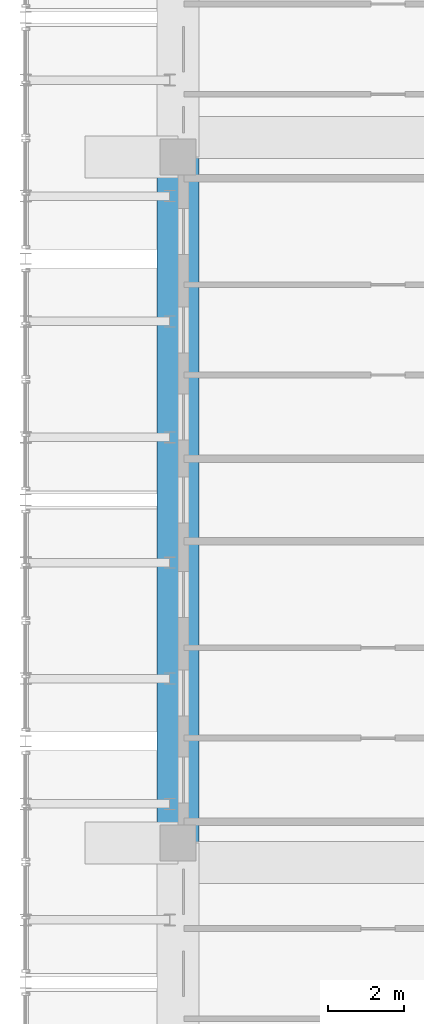
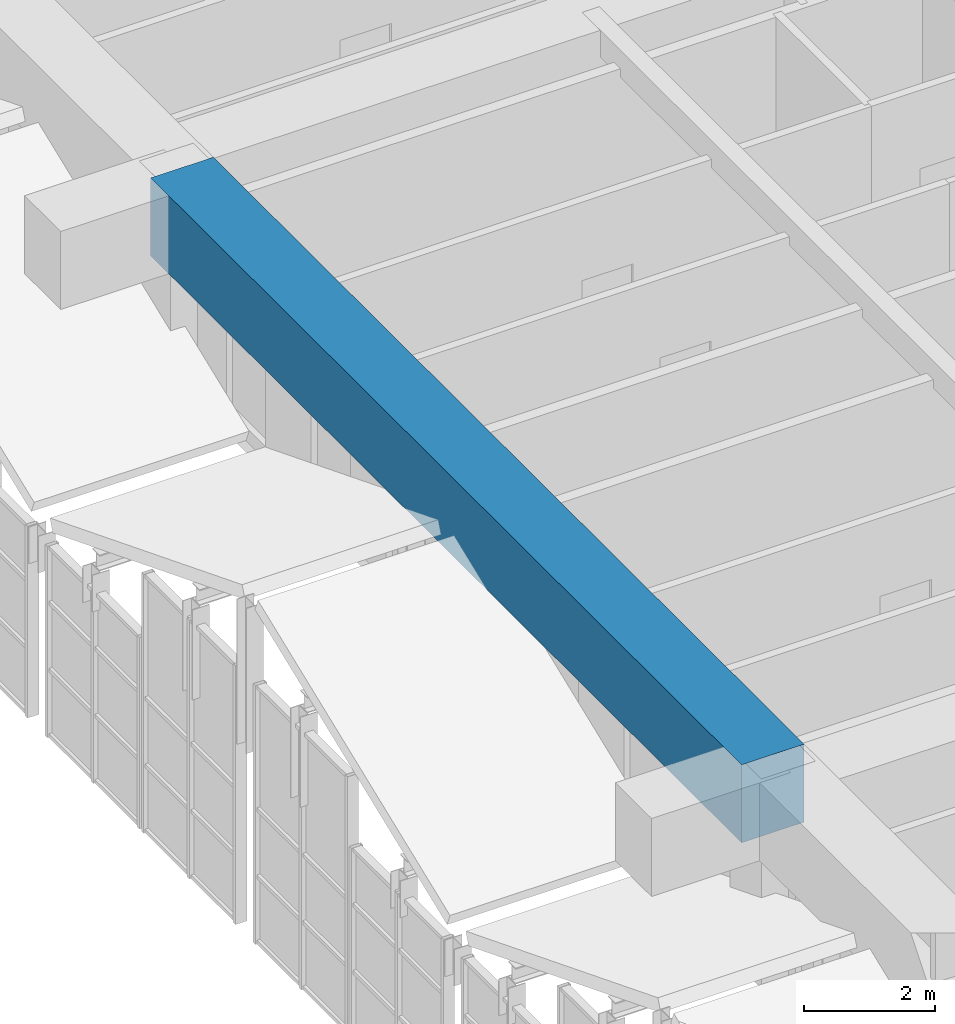
# One storey, part 9 of 45: 1 beam.
"""IFC4 building model written with IfcOpenShell, lengths in metres."""

from ifc_helpers import new_model, si_unit, direction, frame, origin, origin_2d, place, context, subcontext, project, spatial, rectangle, extrude, source, transform, mapped, material, material_profile, profile_set, type_object, element, save


model = new_model("IFC4")

# Units and contexts
model_context = context("Model", 3, precision=1e-05, world=origin(), true_north=direction((0.0, 1.0)))
body_context = subcontext(model_context, "Body", "Model", "MODEL_VIEW")
ifc_project = project(units=[si_unit("LENGTHUNIT", "METRE"), si_unit("AREAUNIT", "SQUARE_METRE"), si_unit("VOLUMEUNIT", "CUBIC_METRE"), si_unit("PLANEANGLEUNIT", "RADIAN"), si_unit("MASSUNIT", "GRAM", prefix="KILO")], contexts=[model_context])

# Site, building, storey
site_placement = place(None, origin())
site = spatial("IfcSite", under=ifc_project, at=site_placement, CompositionType="ELEMENT")
building_placement = place(site_placement, origin())
building = spatial("IfcBuilding", under=site, at=building_placement, Name="Saelheon Loggia Tower", CompositionType="ELEMENT")
storey_placement = place(building_placement, frame((0.0, 0.0, 152.199951171875)))
storey = spatial("IfcBuildingStorey", under=building, at=storey_placement, Name="L48", CompositionType="ELEMENT", Elevation=152.199951171875)

# Beam
ifc_material = material(Name="Concrete C50/60", Category="concrete")
ifc_material_profile = material_profile(ifc_material, rectangle(XDim=1.10009765625, YDim=1.449951171875, at=origin_2d()), Name="RC-1100x1450")
ifc_profile_set = profile_set([ifc_material_profile], Name="Concrete C50/60")
beam_type = type_object("IfcBeamType", Name="Beam_PerimTransfer_RC1100x1450", PredefinedType="BEAM", material=ifc_profile_set)
shared_shape = source(origin(), body_context, "Body", "SweptSolid", [
    extrude(rectangle(XDim=1.10009765625, YDim=1.449951171875, at=origin_2d()), origin(), (0.0, 0.0, 1.0), 18.0),
])
beam_placement = place(storey_placement, frame((16.0, 36.0, 3.175048828125), z_axis=(0.0, -1.0, 0.0), x_axis=(1.0, 0.0, 0.0)))
element("IfcBeam", 1, at=beam_placement, inside=storey, type_object=beam_type, Name="L48 Perimeter Frame Girder 14", PredefinedType="BEAM", context=body_context, shape_type="MappedRepresentation", body=[
    mapped(shared_shape, transform((0.0, 0.0, 0.0), scale=1.0)),
])

save(model, "model.ifc")
